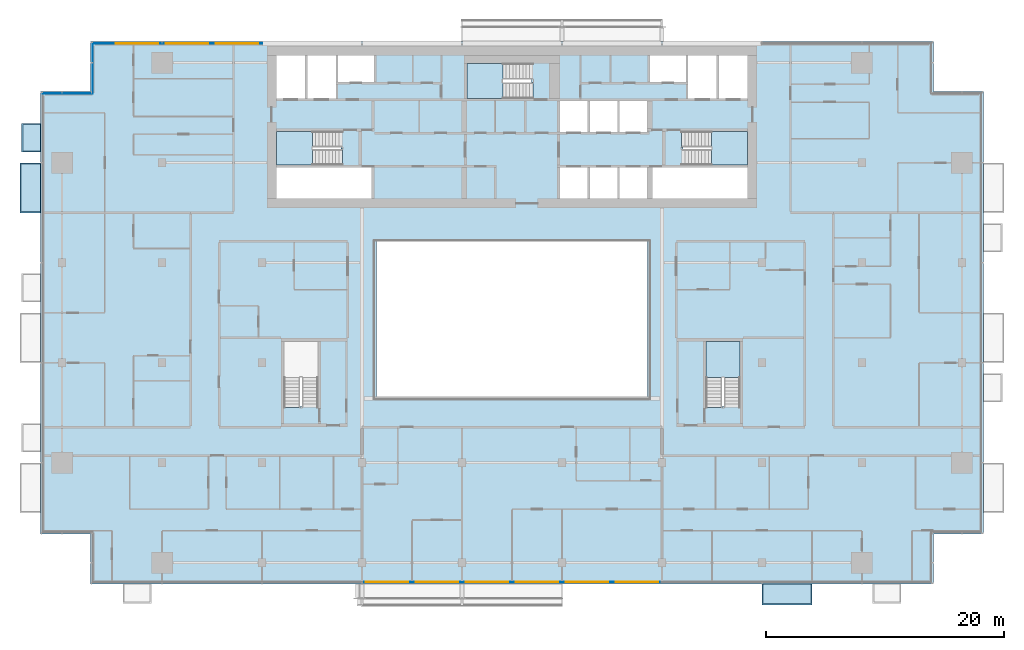
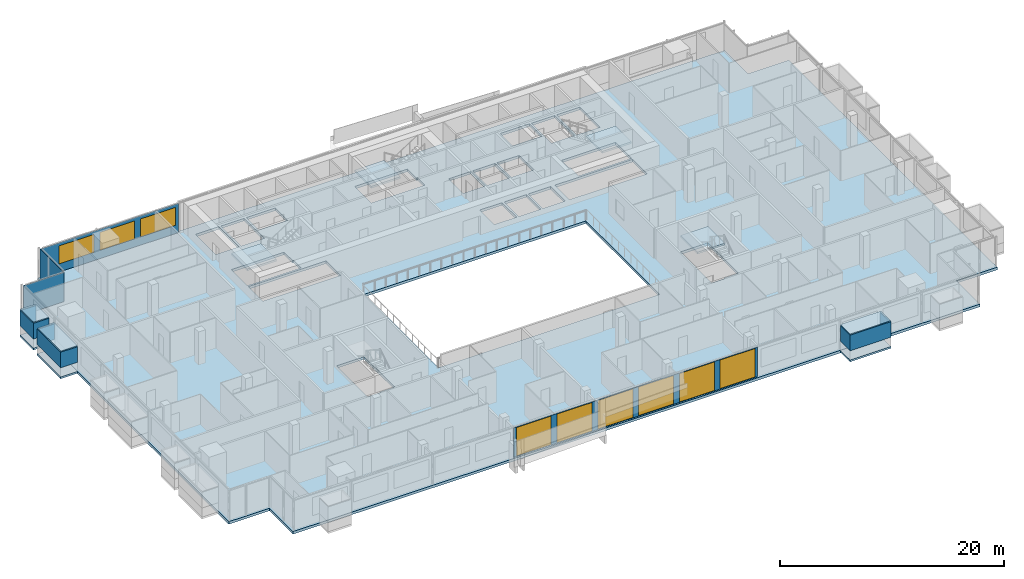
# One storey, part 15 of 28: 10 plates, 9 windows, 8 slabs, 9 openings, 8 elements without a shape of their own.
"""IFC4 building model written with IfcOpenShell, lengths in metres."""

from ifc_helpers import new_model, si_unit, direction, frame, frame_2d, origin, place, context, subcontext, project, spatial, polyline, rectangle, outline, extrude, material, layer, layer_set, type_object, element, fill, aggregate, save


model = new_model("IFC4")

# Units and contexts
model_context = context("Model", 3, precision=1e-05, world=origin(), true_north=direction((0.0, 1.0)))
body_context = subcontext(model_context, "Body", "Model", "MODEL_VIEW")
ifc_project = project(units=[si_unit("LENGTHUNIT", "METRE"), si_unit("AREAUNIT", "SQUARE_METRE"), si_unit("VOLUMEUNIT", "CUBIC_METRE"), si_unit("PLANEANGLEUNIT", "RADIAN"), si_unit("MASSUNIT", "GRAM", prefix="KILO")], contexts=[model_context])

# Site, building, storey
site_placement = place(None, origin())
site = spatial("IfcSite", under=ifc_project, at=site_placement, CompositionType="ELEMENT")
building_placement = place(site_placement, origin())
building = spatial("IfcBuilding", under=site, at=building_placement, Name="Saffron Gate Tower", CompositionType="ELEMENT")
storey_placement = place(building_placement, frame((0.0, 0.0, 151.050048828125)))
storey = spatial("IfcBuildingStorey", under=building, at=storey_placement, Name="L36", CompositionType="ELEMENT", Elevation=151.050048828125)

# Curtain wall, plate, openings, windows
ifc_material_1 = material(Name="Aluminium, bronze anodised", Category="aluminium")
curtain_wall_type_1 = type_object("IfcCurtainWallType", Name="CWS1 curtain wall front facade", PredefinedType="NOTDEFINED", material=ifc_material_1)
curtain_wall_1_placement = place(storey_placement, origin())
curtain_wall_1 = element("IfcCurtainWall", 1, at=curtain_wall_1_placement, inside=storey, type_object=curtain_wall_type_1, Name="CWS1 run 1", PredefinedType="NOTDEFINED")
ifc_material_2 = material(Name="Clear low-iron laminated glass", Category="glass")
ifc_layer_1 = layer(ifc_material_2, 0.028076171875)
ifc_layer_set_1 = layer_set([ifc_layer_1], Name="CWS1 clear glass")
plate_type_1 = type_object("IfcPlateType", Name="CWS1 clear glass", PredefinedType="CURTAIN_PANEL", material=ifc_layer_set_1)
plate_1_placement = place(storey_placement, frame((75.030029296875, 30.174072265625, 0.0), z_axis=(0.0, 0.0, 1.0), x_axis=(1.0, 0.0, 0.0)))
plate_1 = element("IfcPlate", 2, at=plate_1_placement, type_object=plate_type_1, Name="CWS1 clear glass panel", PredefinedType="CURTAIN_PANEL", context=body_context, shape_type="SweptSolid", body=[
    extrude(rectangle(XDim=25.139892578125, YDim=0.028076171875, at=frame_2d((12.56982421875, 0.0))), origin(), (0.0, 0.0, 1.0), 3.199951171875),
])
opening_1_placement = place(plate_1_placement, frame((0.27001953125, 0.0, 0.050048828125)))
opening_1 = element("IfcOpeningElement", 3, at=opening_1_placement, cuts=plate_1, Name="Opening WA", PredefinedType="OPENING", context=body_context, shape_type="SweptSolid", body=[
    extrude(rectangle(XDim=3.60009765625, YDim=3.10009765625, at=frame_2d((1.800048828125, 1.550048828125))), frame((0.0, 0.02392578125, 0.0), z_axis=(0.0, -1.0, 0.0), x_axis=(1.0, 0.0, 0.0)), (0.0, 0.0, 1.0), 0.048095703125),
])
opening_2_placement = place(plate_1_placement, frame((4.469970703125, 0.0, 0.050048828125)))
opening_2 = element("IfcOpeningElement", 4, at=opening_2_placement, cuts=plate_1, Name="Opening WA", PredefinedType="OPENING", context=body_context, shape_type="SweptSolid", body=[
    extrude(rectangle(XDim=3.60009765625, YDim=3.10009765625, at=frame_2d((1.800048828125, 1.550048828125))), frame((0.0, 0.02392578125, 0.0), z_axis=(0.0, -1.0, 0.0), x_axis=(1.0, 0.0, 0.0)), (0.0, 0.0, 1.0), 0.048095703125),
])
opening_3_placement = place(plate_1_placement, frame((8.669921875, 0.0, 0.050048828125)))
opening_3 = element("IfcOpeningElement", 5, at=opening_3_placement, cuts=plate_1, Name="Opening WA", PredefinedType="OPENING", context=body_context, shape_type="SweptSolid", body=[
    extrude(rectangle(XDim=3.60009765625, YDim=3.10009765625, at=frame_2d((1.800048828125, 1.550048828125))), frame((0.0, 0.02392578125, 0.0), z_axis=(0.0, -1.0, 0.0), x_axis=(1.0, 0.0, 0.0)), (0.0, 0.0, 1.0), 0.048095703125),
])
opening_4_placement = place(plate_1_placement, frame((12.8701171875, 0.0, 0.050048828125)))
opening_4 = element("IfcOpeningElement", 6, at=opening_4_placement, cuts=plate_1, Name="Opening WA", PredefinedType="OPENING", context=body_context, shape_type="SweptSolid", body=[
    extrude(rectangle(XDim=3.60009765625, YDim=3.10009765625, at=frame_2d((1.800048828125, 1.550048828125))), frame((0.0, 0.02392578125, 0.0), z_axis=(0.0, -1.0, 0.0), x_axis=(1.0, 0.0, 0.0)), (0.0, 0.0, 1.0), 0.048095703125),
])
opening_5_placement = place(plate_1_placement, frame((17.070068359375, 0.0, 0.050048828125)))
opening_5 = element("IfcOpeningElement", 7, at=opening_5_placement, cuts=plate_1, Name="Opening WA", PredefinedType="OPENING", context=body_context, shape_type="SweptSolid", body=[
    extrude(rectangle(XDim=3.60009765625, YDim=3.10009765625, at=frame_2d((1.800048828125, 1.550048828125))), frame((0.0, 0.02392578125, 0.0), z_axis=(0.0, -1.0, 0.0), x_axis=(1.0, 0.0, 0.0)), (0.0, 0.0, 1.0), 0.048095703125),
])
opening_6_placement = place(plate_1_placement, frame((21.27001953125, 0.0, 0.050048828125)))
opening_6 = element("IfcOpeningElement", 8, at=opening_6_placement, cuts=plate_1, Name="Opening WA", PredefinedType="OPENING", context=body_context, shape_type="SweptSolid", body=[
    extrude(rectangle(XDim=3.60009765625, YDim=3.10009765625, at=frame_2d((1.800048828125, 1.550048828125))), frame((0.0, 0.02392578125, 0.0), z_axis=(0.0, -1.0, 0.0), x_axis=(1.0, 0.0, 0.0)), (0.0, 0.0, 1.0), 0.048095703125),
])
ifc_material_3 = material(Name="Clear low-iron laminated glass in bronze frame", Category="glass")
ifc_layer_2 = layer(ifc_material_3, 0.06005859375)
ifc_layer_set_2 = layer_set([ifc_layer_2], Name="WA operable atrium unit 3600x3100")
window_type_1 = type_object("IfcWindowType", Name="WA operable atrium unit 3600x3100", PartitioningType="DOUBLE_PANEL_HORIZONTAL", PredefinedType="WINDOW", material=ifc_layer_set_2)
window_1_placement = place(opening_1_placement, origin())
window_1 = element("IfcWindow", 9, at=window_1_placement, type_object=window_type_1, Name="WA operable atrium unit", OverallHeight=3.10009765625, OverallWidth=3.60009765625, PartitioningType="SINGLE_PANEL", PredefinedType="WINDOW", context=body_context, shape_type="SweptSolid", body=[
    extrude(rectangle(XDim=3.60009765625, YDim=3.10009765625, at=frame_2d((1.800048828125, 1.550048828125))), frame((0.0, 0.013671875, 0.0), z_axis=(0.0, -1.0, 0.0), x_axis=(1.0, 0.0, 0.0)), (0.0, 0.0, 1.0), 0.027587890625),
])
fill(opening_1, window_1)
window_2_placement = place(opening_2_placement, origin())
window_2 = element("IfcWindow", 10, at=window_2_placement, type_object=window_type_1, Name="WA operable atrium unit", OverallHeight=3.10009765625, OverallWidth=3.60009765625, PartitioningType="SINGLE_PANEL", PredefinedType="WINDOW", context=body_context, shape_type="SweptSolid", body=[
    extrude(rectangle(XDim=3.60009765625, YDim=3.10009765625, at=frame_2d((1.800048828125, 1.550048828125))), frame((0.0, 0.013671875, 0.0), z_axis=(0.0, -1.0, 0.0), x_axis=(1.0, 0.0, 0.0)), (0.0, 0.0, 1.0), 0.027587890625),
])
fill(opening_2, window_2)
window_3_placement = place(opening_3_placement, origin())
window_3 = element("IfcWindow", 11, at=window_3_placement, type_object=window_type_1, Name="WA operable atrium unit", OverallHeight=3.10009765625, OverallWidth=3.60009765625, PartitioningType="SINGLE_PANEL", PredefinedType="WINDOW", context=body_context, shape_type="SweptSolid", body=[
    extrude(rectangle(XDim=3.60009765625, YDim=3.10009765625, at=frame_2d((1.800048828125, 1.550048828125))), frame((0.0, 0.013671875, 0.0), z_axis=(0.0, -1.0, 0.0), x_axis=(1.0, 0.0, 0.0)), (0.0, 0.0, 1.0), 0.027587890625),
])
fill(opening_3, window_3)
window_4_placement = place(opening_4_placement, origin())
window_4 = element("IfcWindow", 12, at=window_4_placement, type_object=window_type_1, Name="WA operable atrium unit", OverallHeight=3.10009765625, OverallWidth=3.60009765625, PartitioningType="SINGLE_PANEL", PredefinedType="WINDOW", context=body_context, shape_type="SweptSolid", body=[
    extrude(rectangle(XDim=3.60009765625, YDim=3.10009765625, at=frame_2d((1.800048828125, 1.550048828125))), frame((0.0, 0.013671875, 0.0), z_axis=(0.0, -1.0, 0.0), x_axis=(1.0, 0.0, 0.0)), (0.0, 0.0, 1.0), 0.027587890625),
])
fill(opening_4, window_4)
window_5_placement = place(opening_5_placement, origin())
window_5 = element("IfcWindow", 13, at=window_5_placement, type_object=window_type_1, Name="WA operable atrium unit", OverallHeight=3.10009765625, OverallWidth=3.60009765625, PartitioningType="SINGLE_PANEL", PredefinedType="WINDOW", context=body_context, shape_type="SweptSolid", body=[
    extrude(rectangle(XDim=3.60009765625, YDim=3.10009765625, at=frame_2d((1.800048828125, 1.550048828125))), frame((0.0, 0.013671875, 0.0), z_axis=(0.0, -1.0, 0.0), x_axis=(1.0, 0.0, 0.0)), (0.0, 0.0, 1.0), 0.027587890625),
])
fill(opening_5, window_5)
window_6_placement = place(opening_6_placement, origin())
window_6 = element("IfcWindow", 14, at=window_6_placement, type_object=window_type_1, Name="WA operable atrium unit", OverallHeight=3.10009765625, OverallWidth=3.60009765625, PartitioningType="SINGLE_PANEL", PredefinedType="WINDOW", context=body_context, shape_type="SweptSolid", body=[
    extrude(rectangle(XDim=3.60009765625, YDim=3.10009765625, at=frame_2d((1.800048828125, 1.550048828125))), frame((0.0, 0.013671875, 0.0), z_axis=(0.0, -1.0, 0.0), x_axis=(1.0, 0.0, 0.0)), (0.0, 0.0, 1.0), 0.027587890625),
])
fill(opening_6, window_6)
aggregate(curtain_wall_1, [plate_1, window_1, window_2, window_3, window_4, window_5, window_6])

curtain_wall_type_2 = type_object("IfcCurtainWallType", Name="CWS3 curtain wall rear facade", PredefinedType="NOTDEFINED", material=ifc_material_1)
curtain_wall_2_placement = place(storey_placement, origin())
curtain_wall_2 = element("IfcCurtainWall", 15, at=curtain_wall_2_placement, inside=storey, type_object=curtain_wall_type_2, Name="CWS3 run 7", PredefinedType="NOTDEFINED")
ifc_material_4 = material(Name="Fritted grey-tinted laminated glass", Category="glass")
ifc_layer_3 = layer(ifc_material_4, 0.028076171875)
ifc_layer_set_3 = layer_set([ifc_layer_3], Name="CWS3 fixed glass")
plate_type_2 = type_object("IfcPlateType", Name="CWS3 fixed glass", PredefinedType="CURTAIN_PANEL", material=ifc_layer_set_3)
plate_2_placement = place(storey_placement, frame((66.635009765625, 75.426025390625, 0.0), z_axis=(0.0, 0.0, 1.0), x_axis=(-1.0, 0.0, 0.0)))
plate_2 = element("IfcPlate", 16, at=plate_2_placement, type_object=plate_type_2, Name="CWS3 glass panel", PredefinedType="CURTAIN_PANEL", context=body_context, shape_type="SweptSolid", body=[
    extrude(rectangle(XDim=14.2470703125, YDim=0.028076171875, at=frame_2d((7.12353515625, 0.0))), origin(), (0.0, 0.0, 1.0), 3.199951171875),
])
opening_7_placement = place(plate_2_placement, frame((0.3349609375, 0.0, 0.89990234375)))
opening_7 = element("IfcOpeningElement", 17, at=opening_7_placement, cuts=plate_2, Name="Opening W1", PredefinedType="OPENING", context=body_context, shape_type="SweptSolid", body=[
    extrude(rectangle(XDim=3.60009765625, YDim=1.949951171875, at=frame_2d((1.800048828125, 0.97509765625))), frame((0.0, 0.02392578125, 0.0), z_axis=(0.0, -1.0, 0.0), x_axis=(1.0, 0.0, 0.0)), (0.0, 0.0, 1.0), 0.048095703125),
])
opening_8_placement = place(plate_2_placement, frame((4.534912109375, 0.0, 0.89990234375)))
opening_8 = element("IfcOpeningElement", 18, at=opening_8_placement, cuts=plate_2, Name="Opening W1", PredefinedType="OPENING", context=body_context, shape_type="SweptSolid", body=[
    extrude(rectangle(XDim=3.60009765625, YDim=1.949951171875, at=frame_2d((1.800048828125, 0.97509765625))), frame((0.0, 0.02392578125, 0.0), z_axis=(0.0, -1.0, 0.0), x_axis=(1.0, 0.0, 0.0)), (0.0, 0.0, 1.0), 0.048095703125),
])
opening_9_placement = place(plate_2_placement, frame((8.735107421875, 0.0, 0.89990234375)))
opening_9 = element("IfcOpeningElement", 19, at=opening_9_placement, cuts=plate_2, Name="Opening W1", PredefinedType="OPENING", context=body_context, shape_type="SweptSolid", body=[
    extrude(rectangle(XDim=3.60009765625, YDim=1.949951171875, at=frame_2d((1.800048828125, 0.97509765625))), frame((0.0, 0.02392578125, 0.0), z_axis=(0.0, -1.0, 0.0), x_axis=(1.0, 0.0, 0.0)), (0.0, 0.0, 1.0), 0.048095703125),
])
ifc_material_5 = material(Name="Fritted bronze-tinted laminated glass in bronze frame", Category="glass")
ifc_layer_4 = layer(ifc_material_5, 0.06005859375)
ifc_layer_set_4 = layer_set([ifc_layer_4], Name="W1 operable panel 3600x1950")
window_type_2 = type_object("IfcWindowType", Name="W1 operable panel 3600x1950", PartitioningType="DOUBLE_PANEL_HORIZONTAL", PredefinedType="WINDOW", material=ifc_layer_set_4)
window_7_placement = place(opening_7_placement, origin())
window_7 = element("IfcWindow", 20, at=window_7_placement, type_object=window_type_2, Name="W1 operable panel", OverallHeight=1.949951171875, OverallWidth=3.60009765625, PartitioningType="SINGLE_PANEL", PredefinedType="WINDOW", context=body_context, shape_type="SweptSolid", body=[
    extrude(rectangle(XDim=3.60009765625, YDim=1.949951171875, at=frame_2d((1.800048828125, 0.97509765625))), frame((0.0, 0.013671875, 0.0), z_axis=(0.0, -1.0, 0.0), x_axis=(1.0, 0.0, 0.0)), (0.0, 0.0, 1.0), 0.027587890625),
])
fill(opening_7, window_7)
window_8_placement = place(opening_8_placement, origin())
window_8 = element("IfcWindow", 21, at=window_8_placement, type_object=window_type_2, Name="W1 operable panel", OverallHeight=1.949951171875, OverallWidth=3.60009765625, PartitioningType="SINGLE_PANEL", PredefinedType="WINDOW", context=body_context, shape_type="SweptSolid", body=[
    extrude(rectangle(XDim=3.60009765625, YDim=1.949951171875, at=frame_2d((1.800048828125, 0.97509765625))), frame((0.0, 0.013671875, 0.0), z_axis=(0.0, -1.0, 0.0), x_axis=(1.0, 0.0, 0.0)), (0.0, 0.0, 1.0), 0.027587890625),
])
fill(opening_8, window_8)
window_9_placement = place(opening_9_placement, origin())
window_9 = element("IfcWindow", 22, at=window_9_placement, type_object=window_type_2, Name="W1 operable panel", OverallHeight=1.949951171875, OverallWidth=3.60009765625, PartitioningType="SINGLE_PANEL", PredefinedType="WINDOW", context=body_context, shape_type="SweptSolid", body=[
    extrude(rectangle(XDim=3.60009765625, YDim=1.949951171875, at=frame_2d((1.800048828125, 0.97509765625))), frame((0.0, 0.013671875, 0.0), z_axis=(0.0, -1.0, 0.0), x_axis=(1.0, 0.0, 0.0)), (0.0, 0.0, 1.0), 0.027587890625),
])
fill(opening_9, window_9)
aggregate(curtain_wall_2, [plate_2, window_7, window_8, window_9])

# Curtain wall, plate
curtain_wall_type_3 = type_object("IfcCurtainWallType", Name="CWS4 curtain wall corner returns", PredefinedType="NOTDEFINED", material=ifc_material_1)
curtain_wall_3_placement = place(storey_placement, origin())
curtain_wall_3 = element("IfcCurtainWall", 23, at=curtain_wall_3_placement, inside=storey, type_object=curtain_wall_type_3, Name="CWS4 run 8", PredefinedType="NOTDEFINED")
ifc_material_6 = material(Name="Fritted bronze-tinted laminated glass", Category="glass")
ifc_layer_5 = layer(ifc_material_6, 0.028076171875)
ifc_layer_set_5 = layer_set([ifc_layer_5], Name="CWS4 fixed glass")
plate_type_3 = type_object("IfcPlateType", Name="CWS4 fixed glass", PredefinedType="CURTAIN_PANEL", material=ifc_layer_set_5)
plate_3_placement = place(storey_placement, frame((52.3740234375, 75.412109375, 0.0), z_axis=(0.0, 0.0, 1.0), x_axis=(0.0, -1.0, 0.0)))
plate_3 = element("IfcPlate", 24, at=plate_3_placement, type_object=plate_type_3, Name="CWS4 glass panel", PredefinedType="CURTAIN_PANEL", context=body_context, shape_type="SweptSolid", body=[
    extrude(rectangle(XDim=4.172119140625, YDim=0.028076171875, at=frame_2d((2.0859375, 0.0))), origin(), (0.0, 0.0, 1.0), 3.199951171875),
])
aggregate(curtain_wall_3, [plate_3])

curtain_wall_4_placement = place(storey_placement, origin())
curtain_wall_4 = element("IfcCurtainWall", 25, at=curtain_wall_4_placement, inside=storey, type_object=curtain_wall_type_3, Name="CWS4 run 9", PredefinedType="NOTDEFINED")
plate_4_placement = place(storey_placement, frame((52.360107421875, 71.22607421875, 0.0), z_axis=(0.0, 0.0, 1.0), x_axis=(-1.0, 0.0, 0.0)))
plate_4 = element("IfcPlate", 26, at=plate_4_placement, type_object=plate_type_3, Name="CWS4 glass panel", PredefinedType="CURTAIN_PANEL", context=body_context, shape_type="SweptSolid", body=[
    extrude(rectangle(XDim=4.172119140625, YDim=0.028076171875, at=frame_2d((2.0859375, 0.0))), origin(), (0.0, 0.0, 1.0), 3.199951171875),
])
aggregate(curtain_wall_4, [plate_4])

# Slab
ifc_material_7 = material(Name="Concrete C40", Category="concrete")
ifc_layer_6 = layer(ifc_material_7, 0.280029296875)
ifc_layer_set_6 = layer_set([ifc_layer_6], Name="S2 FLOOR SLAB 280 CONCRETE C40")
slab_type_1 = type_object("IfcSlabType", Name="S2 FLOOR SLAB 280 CONCRETE C40", PredefinedType="FLOOR", material=ifc_layer_set_6)
slab_1_placement = place(storey_placement, frame((0.0, 0.0, -0.280029296875)))
element("IfcSlab", 27, at=slab_1_placement, inside=storey, type_object=slab_type_1, Name="S2 FLOOR SLAB", PredefinedType="FLOOR", context=body_context, shape_type="SweptSolid", body=[
    extrude(outline(polyline([(48.0, 34.199951171875), (52.199951171875, 34.199951171875), (52.199951171875, 30.0), (123.0, 30.0), (123.0, 34.199951171875), (127.199951171875, 34.199951171875), (127.199951171875, 71.39990234375), (123.0, 71.39990234375), (123.0, 75.60009765625), (52.199951171875, 75.60009765625), (52.199951171875, 71.39990234375), (48.0, 71.39990234375), (48.0, 34.199951171875)]), holes=[polyline([(67.800048828125, 62.39990234375), (67.800048828125, 65.0), (75.800048828125, 65.0), (75.800048828125, 62.39990234375), (67.800048828125, 62.39990234375)]), polyline([(67.800048828125, 65.199951171875), (67.800048828125, 68.050048828125), (73.25, 68.050048828125), (73.25, 66.550048828125), (73.34912109375, 66.550048828125), (73.34912109375, 65.199951171875), (67.800048828125, 65.199951171875)]), polyline([(67.800048828125, 70.800048828125), (67.800048828125, 74.39990234375), (70.199951171875, 74.39990234375), (70.199951171875, 70.800048828125), (67.800048828125, 70.800048828125)]), polyline([(68.449951171875, 44.85107421875), (68.449951171875, 50.39990234375), (71.300048828125, 50.39990234375), (71.300048828125, 44.949951171875), (69.800048828125, 44.949951171875), (69.800048828125, 44.85107421875), (68.449951171875, 44.85107421875)]), polyline([(70.39990234375, 70.800048828125), (70.39990234375, 74.39990234375), (72.800048828125, 74.39990234375), (72.800048828125, 70.800048828125), (70.39990234375, 70.800048828125)]), polyline([(73.0, 72.199951171875), (73.0, 74.39990234375), (76.0, 74.39990234375), (76.0, 72.199951171875), (73.0, 72.199951171875)]), polyline([(76.199951171875, 45.60009765625), (76.199951171875, 58.800048828125), (99.0, 58.800048828125), (99.0, 45.60009765625), (76.199951171875, 45.60009765625)]), polyline([(83.800048828125, 70.800048828125), (83.800048828125, 73.75), (89.25, 73.75), (89.25, 72.14990234375), (89.34912109375, 72.14990234375), (89.34912109375, 70.800048828125), (83.800048828125, 70.800048828125)]), polyline([(91.64990234375, 62.39990234375), (91.64990234375, 65.0), (93.949951171875, 65.0), (93.949951171875, 62.39990234375), (91.64990234375, 62.39990234375)]), polyline([(91.64990234375, 68.0), (91.64990234375, 70.60009765625), (93.949951171875, 70.60009765625), (93.949951171875, 68.0), (91.64990234375, 68.0)]), polyline([(94.14990234375, 62.39990234375), (94.14990234375, 65.0), (96.449951171875, 65.0), (96.449951171875, 62.39990234375), (94.14990234375, 62.39990234375)]), polyline([(94.14990234375, 68.0), (94.14990234375, 70.60009765625), (96.449951171875, 70.60009765625), (96.449951171875, 68.0), (94.14990234375, 68.0)]), polyline([(96.64990234375, 62.39990234375), (96.64990234375, 65.0), (98.949951171875, 65.0), (98.949951171875, 62.39990234375), (96.64990234375, 62.39990234375)]), polyline([(96.64990234375, 68.0), (96.64990234375, 70.60009765625), (98.949951171875, 70.60009765625), (98.949951171875, 68.0), (96.64990234375, 68.0)]), polyline([(99.199951171875, 72.199951171875), (99.199951171875, 74.39990234375), (102.199951171875, 74.39990234375), (102.199951171875, 72.199951171875), (99.199951171875, 72.199951171875)]), polyline([(99.39990234375, 62.39990234375), (99.39990234375, 65.0), (107.39990234375, 65.0), (107.39990234375, 62.39990234375), (99.39990234375, 62.39990234375)]), polyline([(101.85107421875, 66.699951171875), (101.85107421875, 68.050048828125), (107.39990234375, 68.050048828125), (107.39990234375, 65.199951171875), (101.949951171875, 65.199951171875), (101.949951171875, 66.699951171875), (101.85107421875, 66.699951171875)]), polyline([(102.39990234375, 70.800048828125), (102.39990234375, 74.39990234375), (104.800048828125, 74.39990234375), (104.800048828125, 70.800048828125), (102.39990234375, 70.800048828125)]), polyline([(103.89990234375, 44.85107421875), (103.89990234375, 50.39990234375), (106.75, 50.39990234375), (106.75, 44.949951171875), (105.25, 44.949951171875), (105.25, 44.85107421875), (103.89990234375, 44.85107421875)]), polyline([(105.0, 70.800048828125), (105.0, 74.39990234375), (107.39990234375, 74.39990234375), (107.39990234375, 70.800048828125), (105.0, 70.800048828125)])]), origin(), (0.0, 0.0, 1.0), 0.280029296875),
])

# Stair, slab
stair_type = type_object("IfcStairType", Name="ST7 Stair 1350 wide, 20 risers of 180", PredefinedType="HALF_TURN_STAIR", material=ifc_material_7)
stair_1_placement = place(storey_placement, origin())
stair_1 = element("IfcStair", 28, at=stair_1_placement, inside=storey, type_object=stair_type, Name="L36 Exit stair A", PredefinedType="HALF_TURN_STAIR")
ifc_layer_7 = layer(ifc_material_7, 0.199951171875)
ifc_layer_set_7 = layer_set([ifc_layer_7], Name="SL1 Stair landing 200")
slab_type_2 = type_object("IfcSlabType", Name="SL1 Stair landing 200", PredefinedType="LANDING", material=ifc_layer_set_7)
slab_2_placement = place(storey_placement, frame((0.0, 0.0, 1.599853515625)))
slab_2 = element("IfcSlab", 29, at=slab_2_placement, type_object=slab_type_2, Name="ST-A landing 1", PredefinedType="LANDING", context=body_context, shape_type="SweptSolid", body=[
    extrude(outline(polyline([(70.830078125, 68.050048828125), (67.800048828125, 68.050048828125), (67.800048828125, 65.199951171875), (70.830078125, 65.199951171875), (70.830078125, 68.050048828125)])), origin(), (0.0, 0.0, 1.0), 0.2001953125),
])
aggregate(stair_1, [slab_2])

stair_2_placement = place(storey_placement, origin())
stair_2 = element("IfcStair", 30, at=stair_2_placement, inside=storey, type_object=stair_type, Name="L36 Exit stair B", PredefinedType="HALF_TURN_STAIR")
slab_3_placement = place(storey_placement, frame((0.0, 0.0, 1.599853515625)))
slab_3 = element("IfcSlab", 31, at=slab_3_placement, type_object=slab_type_2, Name="ST-B landing 1", PredefinedType="LANDING", context=body_context, shape_type="SweptSolid", body=[
    extrude(outline(polyline([(104.3701171875, 65.199951171875), (107.39990234375, 65.199951171875), (107.39990234375, 68.050048828125), (104.3701171875, 68.050048828125), (104.3701171875, 65.199951171875)])), origin(), (0.0, 0.0, 1.0), 0.2001953125),
])
aggregate(stair_2, [slab_3])

stair_3_placement = place(storey_placement, origin())
stair_3 = element("IfcStair", 32, at=stair_3_placement, inside=storey, type_object=stair_type, Name="L36 Exit stair C", PredefinedType="HALF_TURN_STAIR")
slab_4_placement = place(storey_placement, frame((0.0, 0.0, 1.599853515625)))
slab_4 = element("IfcSlab", 33, at=slab_4_placement, type_object=slab_type_2, Name="ST-C landing 1", PredefinedType="LANDING", context=body_context, shape_type="SweptSolid", body=[
    extrude(outline(polyline([(86.830078125, 73.75), (83.800048828125, 73.75), (83.800048828125, 70.800048828125), (86.830078125, 70.800048828125), (86.830078125, 73.75)])), origin(), (0.0, 0.0, 1.0), 0.2001953125),
])
aggregate(stair_3, [slab_4])

stair_4_placement = place(storey_placement, origin())
stair_4 = element("IfcStair", 34, at=stair_4_placement, inside=storey, type_object=stair_type, Name="L36 Exit stair E", PredefinedType="HALF_TURN_STAIR")
slab_5_placement = place(storey_placement, frame((0.0, 0.0, 1.599853515625)))
slab_5 = element("IfcSlab", 35, at=slab_5_placement, type_object=slab_type_2, Name="ST-E landing 1", PredefinedType="LANDING", context=body_context, shape_type="SweptSolid", body=[
    extrude(outline(polyline([(106.75, 47.3701171875), (106.75, 50.39990234375), (103.89990234375, 50.39990234375), (103.89990234375, 47.3701171875), (106.75, 47.3701171875)])), origin(), (0.0, 0.0, 1.0), 0.2001953125),
])
aggregate(stair_4, [slab_5])

# Slabs
ifc_material_8 = material(Name="Timber deck on bronze frame", Category="wood")
ifc_layer_8 = layer(ifc_material_8, 0.199951171875)
ifc_layer_set_8 = layer_set([ifc_layer_8], Name="WB1 box floor")
slab_type_3 = type_object("IfcSlabType", Name="WB1 box floor", PredefinedType="FLOOR", material=ifc_layer_set_8)
slab_6_placement = place(storey_placement, frame((0.0, 0.0, -0.199951171875)))
element("IfcSlab", 36, at=slab_6_placement, inside=storey, type_object=slab_type_3, Name="WINDOW BOX floor", PredefinedType="FLOOR", context=body_context, shape_type="SweptSolid", body=[
    extrude(outline(polyline([(108.60009765625, 30.0), (112.800048828125, 30.0), (112.800048828125, 28.26708984375), (108.60009765625, 28.26708984375), (108.60009765625, 30.0)])), origin(), (0.0, 0.0, 1.0), 0.199951171875),
])
slab_7_placement = place(storey_placement, frame((0.0, 0.0, -0.199951171875)))
element("IfcSlab", 37, at=slab_7_placement, inside=storey, type_object=slab_type_3, Name="WINDOW BOX floor", PredefinedType="FLOOR", context=body_context, shape_type="SweptSolid", body=[
    extrude(outline(polyline([(48.0, 68.699951171875), (48.0, 66.300048828125), (46.39990234375, 66.300048828125), (46.39990234375, 68.699951171875), (48.0, 68.699951171875)])), origin(), (0.0, 0.0, 1.0), 0.199951171875),
])
slab_8_placement = place(storey_placement, frame((0.0, 0.0, -0.199951171875)))
element("IfcSlab", 38, at=slab_8_placement, inside=storey, type_object=slab_type_3, Name="WINDOW BOX floor", PredefinedType="FLOOR", context=body_context, shape_type="SweptSolid", body=[
    extrude(outline(polyline([(48.0, 65.39990234375), (48.0, 61.199951171875), (46.26708984375, 61.199951171875), (46.26708984375, 65.39990234375), (48.0, 65.39990234375)])), origin(), (0.0, 0.0, 1.0), 0.199951171875),
])

# Plates
ifc_layer_9 = layer(ifc_material_1, 0.1201171875)
ifc_layer_set_9 = layer_set([ifc_layer_9], Name="WB2 box roof")
plate_type_4 = type_object("IfcPlateType", Name="WB2 box roof", PredefinedType="SHEET", material=ifc_layer_set_9)
plate_5_placement = place(storey_placement, frame((0.0, 0.0, 2.699951171875)))
element("IfcPlate", 39, at=plate_5_placement, inside=storey, type_object=plate_type_4, Name="WINDOW BOX roof", PredefinedType="SHEET", context=body_context, shape_type="SweptSolid", body=[
    extrude(outline(polyline([(108.60009765625, 30.0), (112.800048828125, 30.0), (112.800048828125, 28.26708984375), (108.60009765625, 28.26708984375), (108.60009765625, 30.0)])), origin(), (0.0, 0.0, 1.0), 0.1201171875),
])
plate_6_placement = place(storey_placement, frame((0.0, 0.0, 2.699951171875)))
element("IfcPlate", 40, at=plate_6_placement, inside=storey, type_object=plate_type_4, Name="WINDOW BOX roof", PredefinedType="SHEET", context=body_context, shape_type="SweptSolid", body=[
    extrude(outline(polyline([(48.0, 68.699951171875), (48.0, 66.300048828125), (46.39990234375, 66.300048828125), (46.39990234375, 68.699951171875), (48.0, 68.699951171875)])), origin(), (0.0, 0.0, 1.0), 0.1201171875),
])
plate_7_placement = place(storey_placement, frame((0.0, 0.0, 2.699951171875)))
element("IfcPlate", 41, at=plate_7_placement, inside=storey, type_object=plate_type_4, Name="WINDOW BOX roof", PredefinedType="SHEET", context=body_context, shape_type="SweptSolid", body=[
    extrude(outline(polyline([(48.0, 65.39990234375), (48.0, 61.199951171875), (46.26708984375, 61.199951171875), (46.26708984375, 65.39990234375), (48.0, 65.39990234375)])), origin(), (0.0, 0.0, 1.0), 0.1201171875),
])
ifc_layer_10 = layer(ifc_material_2, 0.10009765625)
ifc_layer_set_10 = layer_set([ifc_layer_10], Name="WB6 box glazing")
plate_type_5 = type_object("IfcPlateType", Name="WB6 box glazing", PredefinedType="SHEET", material=ifc_layer_set_10)
plate_8_placement = place(storey_placement, frame((0.0, 0.0, 1.0)))
element("IfcPlate", 42, at=plate_8_placement, inside=storey, type_object=plate_type_5, Name="WINDOW BOX glazing", PredefinedType="SHEET", context=body_context, shape_type="SweptSolid", body=[
    extrude(outline(polyline([(108.60009765625, 30.0), (108.699951171875, 30.0), (108.699951171875, 28.366943359375), (112.699951171875, 28.366943359375), (112.699951171875, 30.0), (112.800048828125, 30.0), (112.800048828125, 28.26708984375), (108.60009765625, 28.26708984375), (108.60009765625, 30.0)])), origin(), (0.0, 0.0, 1.0), 1.699951171875),
])
plate_9_placement = place(storey_placement, frame((0.0, 0.0, 1.0)))
element("IfcPlate", 43, at=plate_9_placement, inside=storey, type_object=plate_type_5, Name="WINDOW BOX glazing", PredefinedType="SHEET", context=body_context, shape_type="SweptSolid", body=[
    extrude(outline(polyline([(48.0, 68.699951171875), (48.0, 68.60009765625), (46.5, 68.60009765625), (46.5, 66.39990234375), (48.0, 66.39990234375), (48.0, 66.300048828125), (46.39990234375, 66.300048828125), (46.39990234375, 68.699951171875), (48.0, 68.699951171875)])), origin(), (0.0, 0.0, 1.0), 1.699951171875),
])
plate_10_placement = place(storey_placement, frame((0.0, 0.0, 1.0)))
element("IfcPlate", 44, at=plate_10_placement, inside=storey, type_object=plate_type_5, Name="WINDOW BOX glazing", PredefinedType="SHEET", context=body_context, shape_type="SweptSolid", body=[
    extrude(outline(polyline([(48.0, 65.39990234375), (48.0, 65.300048828125), (46.366943359375, 65.300048828125), (46.366943359375, 61.300048828125), (48.0, 61.300048828125), (48.0, 61.199951171875), (46.26708984375, 61.199951171875), (46.26708984375, 65.39990234375), (48.0, 65.39990234375)])), origin(), (0.0, 0.0, 1.0), 1.699951171875),
])

save(model, "model.ifc")
